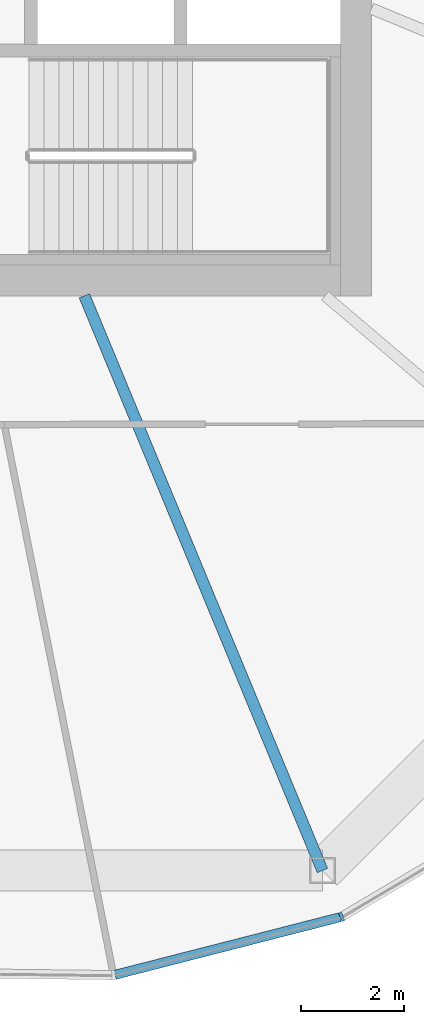
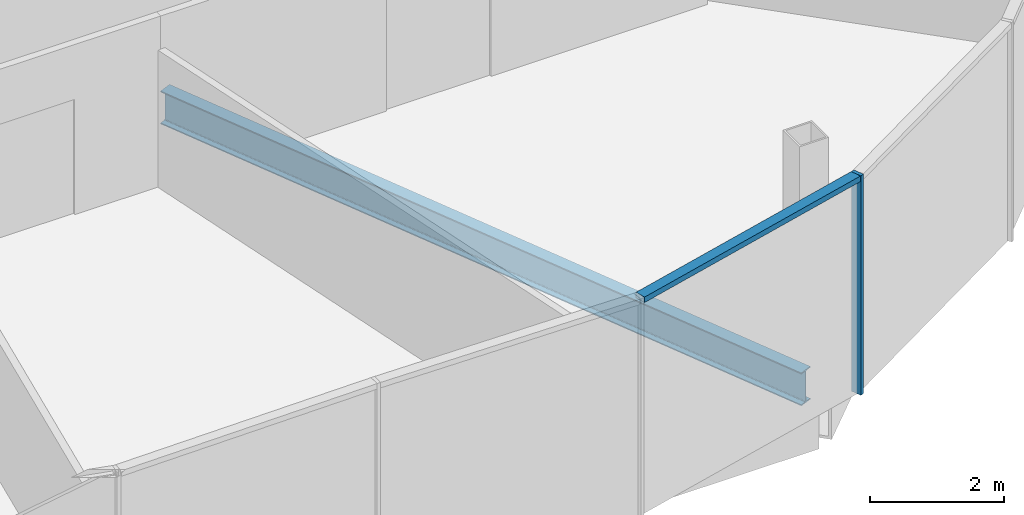
# One storey, part 4 of 26: 2 members, 1 beam, 1 element without a shape of its own.
"""IFC4 building model written with IfcOpenShell, lengths in metres."""

from ifc_helpers import new_model, si_unit, direction, frame, origin, origin_2d, place, context, subcontext, project, spatial, rectangle, i_section, extrude, material, material_profile, profile_set, type_object, element, aggregate, save


model = new_model("IFC4")

# Units and contexts
model_context = context("Model", 3, precision=1e-05, world=origin(), true_north=direction((0.0, 1.0)))
body_context = subcontext(model_context, "Body", "Model", "MODEL_VIEW")
ifc_project = project(units=[si_unit("LENGTHUNIT", "METRE"), si_unit("AREAUNIT", "SQUARE_METRE"), si_unit("VOLUMEUNIT", "CUBIC_METRE"), si_unit("PLANEANGLEUNIT", "RADIAN"), si_unit("MASSUNIT", "GRAM", prefix="KILO")], contexts=[model_context])

# Site, building, storey
site_placement = place(None, origin())
site = spatial("IfcSite", under=ifc_project, at=site_placement, CompositionType="ELEMENT")
building_placement = place(site_placement, origin())
building = spatial("IfcBuilding", under=site, at=building_placement, Name="Ogive Gate Towers", CompositionType="ELEMENT")
storey_placement = place(building_placement, frame((0.0, 0.0, 148.800048828125)))
storey = spatial("IfcBuildingStorey", under=building, at=storey_placement, Name="L35", CompositionType="ELEMENT", Elevation=148.800048828125)

# Beam
ifc_material_1 = material(Name="Steel SM355", Category="steel")
ifc_material_profile_1 = material_profile(ifc_material_1, i_section(OverallWidth=0.219970703125, OverallDepth=0.60009765625, WebThickness=0.011962890625, FlangeThickness=0.01904296875, FilletRadius=0.02392578125, at=origin_2d()), Name="IPE 600")
ifc_profile_set_1 = profile_set([ifc_material_profile_1], Name="Steel SM355")
beam_type = type_object("IfcBeamType", Name="Radial floor beam IPE 600", PredefinedType="BEAM", material=ifc_profile_set_1)
beam_placement = place(storey_placement, frame((-32.06494140625, -9.5, -0.60009765625), z_axis=(0.382677863518, -0.923881839184, 0.0), x_axis=(0.923881839184, 0.382677863518, 0.0)))
element("IfcBeam", 1, at=beam_placement, inside=storey, type_object=beam_type, Name="T1/L35/SBM005", PredefinedType="BEAM", context=body_context, shape_type="SweptSolid", body=[
    extrude(i_section(OverallWidth=0.219970703125, OverallDepth=0.60009765625, WebThickness=0.011962890625, FlangeThickness=0.01904296875, FilletRadius=0.02392578125, at=origin_2d()), origin(), (0.0, 0.0, 1.0), 12.05712890625),
])

# Curtain wall, members
ifc_material_2 = material(Name="Pale metal aluminium", Category="aluminium")
curtain_wall_type = type_object("IfcCurtainWallType", Name="Tower unitised wall, high zone", PredefinedType="NOTDEFINED", material=ifc_material_2)
curtain_wall_placement = place(storey_placement, origin())
curtain_wall = element("IfcCurtainWall", 2, at=curtain_wall_placement, inside=storey, type_object=curtain_wall_type, Name="CW2 T1 ECW07", PredefinedType="NOTDEFINED")
ifc_material_profile_2 = material_profile(ifc_material_2, rectangle(XDim=0.179931640625, YDim=0.06005859375, at=origin_2d()), Name="60 x 180 aluminium box")
ifc_profile_set_2 = profile_set([ifc_material_profile_2], Name="Pale metal aluminium")
member_type_1 = type_object("IfcMemberType", Name="Tower unitised wall, high zone mullion 60 x 180", PredefinedType="MULLION", material=ifc_profile_set_2)
member_1_placement = place(storey_placement, frame((-27.0791015625, -21.53662109375, -0.300048828125), z_axis=(0.0, 0.0, 1.0), x_axis=(0.382683432365, -0.923879532511, 0.0)))
member_1 = element("IfcMember", 3, at=member_1_placement, type_object=member_type_1, Name="CW2 mullion", PredefinedType="MULLION", context=body_context, shape_type="SweptSolid", body=[
    extrude(rectangle(XDim=0.179931640625, YDim=0.06005859375, at=origin_2d()), origin(), (0.0, 0.0, 1.0), 4.0),
])
ifc_material_profile_3 = material_profile(ifc_material_2, rectangle(XDim=0.179931640625, YDim=0.10009765625, at=origin_2d()), Name="100 x 180 aluminium box")
ifc_profile_set_3 = profile_set([ifc_material_profile_3], Name="Pale metal aluminium")
member_type_2 = type_object("IfcMemberType", Name="Tower unitised wall, high zone transom 100 x 180", PredefinedType="USERDEFINED", material=ifc_profile_set_3)
member_2_placement = place(storey_placement, frame((-31.470458984375, -22.66064453125, 3.64990234375), z_axis=(0.968765769821, 0.247977586132, 0.0), x_axis=(-0.247977586132, 0.968765769821, 0.0)))
member_2 = element("IfcMember", 4, at=member_2_placement, type_object=member_type_2, Name="CW2 transom", ObjectType="TRANSOM", PredefinedType="USERDEFINED", context=body_context, shape_type="SweptSolid", body=[
    extrude(rectangle(XDim=0.179931640625, YDim=0.10009765625, at=origin_2d()), origin(), (0.0, 0.0, 1.0), 4.504150390625),
])
aggregate(curtain_wall, [member_1, member_2])

save(model, "model.ifc")
